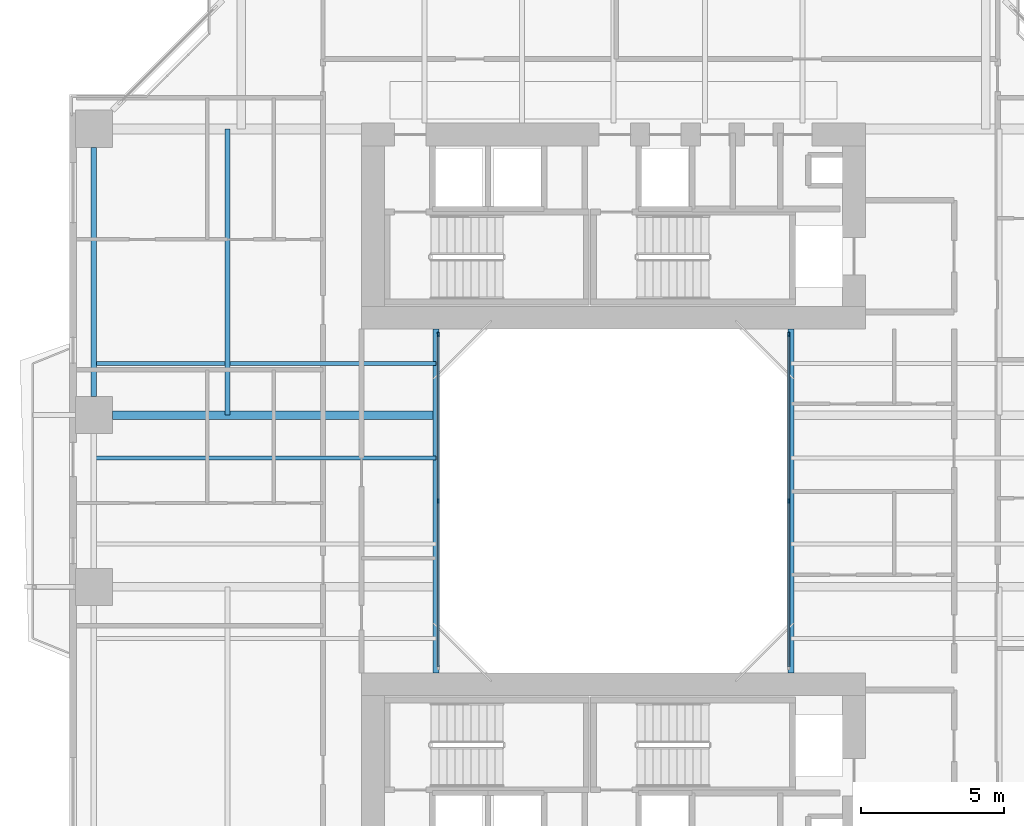
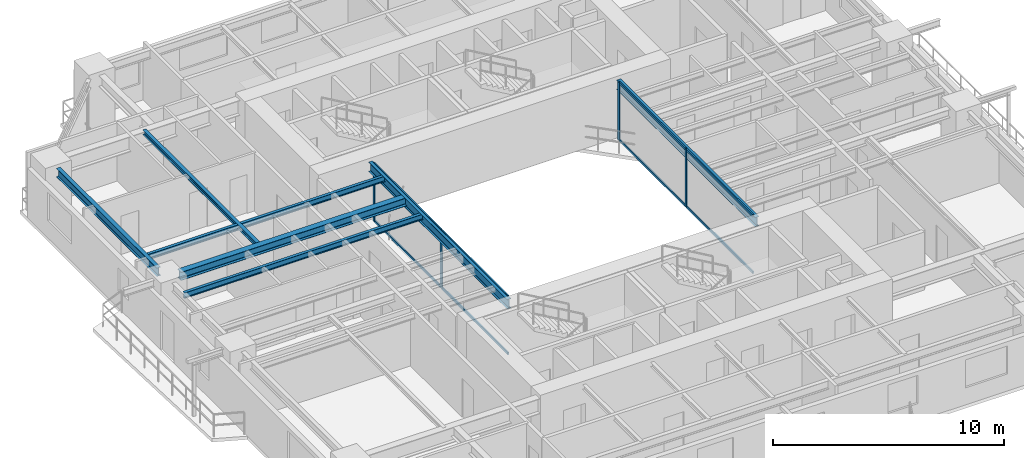
# One storey, part 4 of 23: 12 members, 7 beams, 2 elements without a shape of their own.
"""IFC4 building model written with IfcOpenShell, lengths in metres."""

from ifc_helpers import new_model, si_unit, direction, frame, origin, origin_2d, place, context, subcontext, project, spatial, rectangle, i_section, extrude, source, transform, mapped, material, layer, layer_set, material_profile, profile_set, type_object, element, aggregate, save


model = new_model("IFC4")

# Units and contexts
model_context = context("Model", 3, precision=1e-05, world=origin(), true_north=direction((0.0, 1.0)))
body_context = subcontext(model_context, "Body", "Model", "MODEL_VIEW")
ifc_project = project(units=[si_unit("LENGTHUNIT", "METRE"), si_unit("AREAUNIT", "SQUARE_METRE"), si_unit("VOLUMEUNIT", "CUBIC_METRE"), si_unit("PLANEANGLEUNIT", "RADIAN"), si_unit("MASSUNIT", "GRAM", prefix="KILO"), si_unit("THERMODYNAMICTEMPERATUREUNIT", "KELVIN"), si_unit("POWERUNIT", "WATT")], contexts=[model_context])

# Site, building, storey
site_placement = place(None, origin())
site = spatial("IfcSite", under=ifc_project, at=site_placement, CompositionType="ELEMENT")
building_placement = place(site_placement, origin())
building = spatial("IfcBuilding", under=site, at=building_placement, Name="Qiaomeng Ring Towers", CompositionType="ELEMENT")
storey_placement = place(building_placement, frame((0.0, 0.0, 79.5)))
storey = spatial("IfcBuildingStorey", under=building, at=storey_placement, Name="L22", CompositionType="ELEMENT", Elevation=79.5)

# Beams
ifc_material_1 = material(Name="Steel Q355B", Category="steel")
ifc_material_profile_1 = material_profile(ifc_material_1, i_section(OverallWidth=0.199951171875, OverallDepth=0.5, WebThickness=0.010009765625, FlangeThickness=0.01611328125, FilletRadius=0.02001953125, at=origin_2d()), Name="HN 500x200x10x16")
ifc_profile_set_1 = profile_set([ifc_material_profile_1], Name="Steel Q355B")
beam_type_1 = type_object("IfcBeamType", Name="STR-BM-HN500", PredefinedType="BEAM", material=ifc_profile_set_1)
shared_shape_1 = source(origin(), body_context, "Body", "SweptSolid", [
    extrude(i_section(OverallWidth=0.199951171875, OverallDepth=0.5, WebThickness=0.010009765625, FlangeThickness=0.01611328125, FilletRadius=0.02001953125, at=origin_2d()), origin(), (0.0, 0.0, 1.0), 12.0),
])
for number, where, z_axis, x_axis, name in (
    (1, (12.800048828125, 17.0, 2.820068359375), (0.0, 1.0, 0.0), (-1.0, 0.0, 0.0), "L22 beam STR-BM-L22-WELL-W"),
    (2, (25.199951171875, 17.0, 2.820068359375), (0.0, 1.0, 0.0), (-1.0, 0.0, 0.0), "L22 beam STR-BM-L22-WELL-E"),
):
    element("IfcBeam", number, at=place(storey_placement, frame(where, z_axis=z_axis, x_axis=x_axis)), inside=storey, type_object=beam_type_1, Name=name, PredefinedType="BEAM", context=body_context, shape_type="MappedRepresentation", body=[
        mapped(shared_shape_1, transform((0.0, 0.0, 0.0), x_axis=(1.0, 0.0, 0.0), y_axis=(0.0, 1.0, 0.0), z_axis=(0.0, 0.0, 1.0), scale=1.0)),
    ])
ifc_material_profile_2 = material_profile(ifc_material_1, i_section(OverallWidth=0.199951171875, OverallDepth=0.449951171875, WebThickness=0.009033203125, FlangeThickness=0.013916015625, FilletRadius=0.01806640625, at=origin_2d()), Name="HN 450x200x9x14")
ifc_profile_set_2 = profile_set([ifc_material_profile_2], Name="Steel Q355B")
beam_type_2 = type_object("IfcBeamType", Name="STR-BM-HN450", PredefinedType="SPANDREL", material=ifc_profile_set_2)
shared_shape_2 = source(origin(), body_context, "Body", "SweptSolid", [
    extrude(i_section(OverallWidth=0.199951171875, OverallDepth=0.449951171875, WebThickness=0.009033203125, FlangeThickness=0.013916015625, FilletRadius=0.01806640625, at=origin_2d()), origin(), (0.0, 0.0, 1.0), 8.7021484375),
])
beam_1_placement = place(storey_placement, frame((0.85009765625, 35.35107421875, 2.844970703125), z_axis=(0.0, -1.0, 0.0), x_axis=(1.0, 0.0, 0.0)))
element("IfcBeam", 3, at=beam_1_placement, inside=storey, type_object=beam_type_2, Name="L22 beam STR-SP-L22-T1-W4-W3", PredefinedType="SPANDREL", context=body_context, shape_type="MappedRepresentation", body=[
    mapped(shared_shape_2, transform((0.0, 0.0, 0.0), x_axis=(1.0, 0.0, 0.0), y_axis=(0.0, 1.0, 0.0), z_axis=(0.0, 0.0, 1.0), scale=1.0)),
])
ifc_material_profile_3 = material_profile(ifc_material_1, i_section(OverallWidth=0.300048828125, OverallDepth=0.43994140625, WebThickness=0.010986328125, FlangeThickness=0.01806640625, FilletRadius=0.02392578125, at=origin_2d()), Name="HM 440x300x11x18")
ifc_profile_set_3 = profile_set([ifc_material_profile_3], Name="Steel Q355B")
beam_type_3 = type_object("IfcBeamType", Name="STR-BM-HM440", PredefinedType="BEAM", material=ifc_profile_set_3)
shared_shape_3 = source(origin(), body_context, "Body", "SweptSolid", [
    extrude(i_section(OverallWidth=0.300048828125, OverallDepth=0.43994140625, WebThickness=0.010986328125, FlangeThickness=0.01806640625, FilletRadius=0.02392578125, at=origin_2d()), origin(), (0.0, 0.0, 1.0), 11.301025390625),
])
beam_2_placement = place(storey_placement, frame((1.4990234375, 26.0, 2.85009765625), z_axis=(1.0, 0.0, 0.0), x_axis=(0.0, 1.0, 0.0)))
element("IfcBeam", 4, at=beam_2_placement, inside=storey, type_object=beam_type_3, Name="L22 beam STR-BM-L22-T1-RAD-W3", PredefinedType="BEAM", context=body_context, shape_type="MappedRepresentation", body=[
    mapped(shared_shape_3, transform((0.0, 0.0, 0.0), x_axis=(1.0, 0.0, 0.0), y_axis=(0.0, 1.0, 0.0), z_axis=(0.0, 0.0, 1.0), scale=1.0)),
])
ifc_material_profile_4 = material_profile(ifc_material_1, i_section(OverallWidth=0.14990234375, OverallDepth=0.300048828125, WebThickness=0.006591796875, FlangeThickness=0.009033203125, FilletRadius=0.012939453125, at=origin_2d()), Name="HN 300x150x6.5x9")
ifc_profile_set_4 = profile_set([ifc_material_profile_4], Name="Steel Q355B")
beam_type_4 = type_object("IfcBeamType", Name="STR-BM-HN300", PredefinedType="JOIST", material=ifc_profile_set_4)
shared_shape_4 = source(origin(), body_context, "Body", "SweptSolid", [
    extrude(i_section(OverallWidth=0.14990234375, OverallDepth=0.300048828125, WebThickness=0.006591796875, FlangeThickness=0.009033203125, FilletRadius=0.012939453125, at=origin_2d()), origin(), (0.0, 0.0, 1.0), 11.949951171875),
])
for number, where, z_axis, x_axis, name in (
    (5, (0.85009765625, 24.5, 2.919921875), (1.0, 0.0, 0.0), (0.0, 1.0, 0.0), "L22 beam STR-JST-L22-T1W-3"),
    (6, (0.85009765625, 27.800048828125, 2.919921875), (1.0, 0.0, 0.0), (0.0, 1.0, 0.0), "L22 beam STR-JST-L22-T1W-4"),
):
    element("IfcBeam", number, at=place(storey_placement, frame(where, z_axis=z_axis, x_axis=x_axis)), inside=storey, type_object=beam_type_4, Name=name, PredefinedType="JOIST", context=body_context, shape_type="MappedRepresentation", body=[
        mapped(shared_shape_4, transform((0.0, 0.0, 0.0), x_axis=(1.0, 0.0, 0.0), y_axis=(0.0, 1.0, 0.0), z_axis=(0.0, 0.0, 1.0), scale=1.0)),
    ])
ifc_material_profile_5 = material_profile(ifc_material_1, i_section(OverallWidth=0.175048828125, OverallDepth=0.243896484375, WebThickness=0.007080078125, FlangeThickness=0.010986328125, FilletRadius=0.01611328125, at=origin_2d()), Name="HM 244x175x7x11")
ifc_profile_set_5 = profile_set([ifc_material_profile_5], Name="Steel Q355B")
beam_type_5 = type_object("IfcBeamType", Name="STR-BM-HM244", PredefinedType="JOIST", material=ifc_profile_set_5)
shared_shape_5 = source(origin(), body_context, "Body", "SweptSolid", [
    extrude(i_section(OverallWidth=0.175048828125, OverallDepth=0.243896484375, WebThickness=0.007080078125, FlangeThickness=0.010986328125, FilletRadius=0.01611328125, at=origin_2d()), origin(), (0.0, 0.0, 1.0), 10.0),
])
beam_3_placement = place(storey_placement, frame((5.52490234375, 26.0, 2.947998046875), z_axis=(0.0, 1.0, 0.0), x_axis=(-1.0, 0.0, 0.0)))
element("IfcBeam", 7, at=beam_3_placement, inside=storey, type_object=beam_type_5, Name="L22 beam STR-JST-L22-T1C-WN", PredefinedType="JOIST", context=body_context, shape_type="MappedRepresentation", body=[
    mapped(shared_shape_5, transform((0.0, 0.0, 0.0), x_axis=(1.0, 0.0, 0.0), y_axis=(0.0, 1.0, 0.0), z_axis=(0.0, 0.0, 1.0), scale=1.0)),
])

# Curtain wall, members
ifc_material_2 = material(Name="Fluorocarbon dark-grey aluminium", Category="aluminium")
ifc_layer = layer(ifc_material_2, 0.139892578125, Name="Fluorocarbon dark-grey aluminium")
ifc_layer_set = layer_set([ifc_layer], Name="Fluorocarbon dark-grey aluminium")
curtain_wall_type = type_object("IfcCurtainWallType", Name="ARC-CW-4", PredefinedType="NOTDEFINED", material=ifc_layer_set)
curtain_wall_1_placement = place(storey_placement, origin())
curtain_wall_1 = element("IfcCurtainWall", 8, at=curtain_wall_1_placement, inside=storey, type_object=curtain_wall_type, Name="L22 Curtain Wall CW4", PredefinedType="NOTDEFINED")
ifc_material_profile_6 = material_profile(ifc_material_2, rectangle(XDim=0.06494140625, YDim=0.159912109375, at=origin_2d()), Name="ALU MULL 65x160")
ifc_profile_set_6 = profile_set([ifc_material_profile_6], Name="Fluorocarbon dark-grey aluminium")
member_type_1 = type_object("IfcMemberType", Name="ARC-CWM-140", PredefinedType="MULLION", material=ifc_profile_set_6)
shared_shape_6 = source(origin(), body_context, "Body", "SweptSolid", [
    extrude(rectangle(XDim=0.06494140625, YDim=0.159912109375, at=origin_2d()), origin(), (0.0, 0.0, 1.0), 3.070068359375),
])
member_1_placement = place(storey_placement, frame((12.8798828125, 23.0, 0.0), z_axis=(0.0, 0.0, 1.0), x_axis=(-1.0, 0.0, 0.0)))
member_1 = element("IfcMember", 9, at=member_1_placement, type_object=member_type_1, Name="CW4 mullion 2", PredefinedType="MULLION", context=body_context, shape_type="MappedRepresentation", body=[
    mapped(shared_shape_6, transform((0.0, 0.0, 0.0), x_axis=(1.0, 0.0, 0.0), y_axis=(0.0, 1.0, 0.0), z_axis=(0.0, 0.0, 1.0), scale=1.0)),
])
member_2_placement = place(storey_placement, frame((12.8798828125, 28.8173828125, 0.0), z_axis=(0.0, 0.0, 1.0), x_axis=(-1.0, 0.0, 0.0)))
member_2 = element("IfcMember", 10, at=member_2_placement, type_object=member_type_1, Name="CW4 mullion 3", PredefinedType="MULLION", context=body_context, shape_type="MappedRepresentation", body=[
    mapped(shared_shape_6, transform((0.0, 0.0, 0.0), x_axis=(1.0, 0.0, 0.0), y_axis=(0.0, 1.0, 0.0), z_axis=(0.0, 0.0, 1.0), scale=1.0)),
])

curtain_wall_2_placement = place(storey_placement, origin())
curtain_wall_2 = element("IfcCurtainWall", 11, at=curtain_wall_2_placement, inside=storey, type_object=curtain_wall_type, Name="L22 Curtain Wall CW4", PredefinedType="NOTDEFINED")
member_3_placement = place(storey_placement, frame((25.1201171875, 23.0, 0.0), z_axis=(0.0, 0.0, 1.0), x_axis=(-1.0, 0.0, 0.0)))
member_3 = element("IfcMember", 12, at=member_3_placement, type_object=member_type_1, Name="CW4 mullion 2", PredefinedType="MULLION", context=body_context, shape_type="MappedRepresentation", body=[
    mapped(shared_shape_6, transform((0.0, 0.0, 0.0), x_axis=(1.0, 0.0, 0.0), y_axis=(0.0, 1.0, 0.0), z_axis=(0.0, 0.0, 1.0), scale=1.0)),
])
member_4_placement = place(storey_placement, frame((25.1201171875, 28.8173828125, 0.0), z_axis=(0.0, 0.0, 1.0), x_axis=(-1.0, 0.0, 0.0)))
member_4 = element("IfcMember", 13, at=member_4_placement, type_object=member_type_1, Name="CW4 mullion 3", PredefinedType="MULLION", context=body_context, shape_type="MappedRepresentation", body=[
    mapped(shared_shape_6, transform((0.0, 0.0, 0.0), x_axis=(1.0, 0.0, 0.0), y_axis=(0.0, 1.0, 0.0), z_axis=(0.0, 0.0, 1.0), scale=1.0)),
])

# Member
ifc_material_profile_7 = material_profile(ifc_material_2, rectangle(XDim=0.06494140625, YDim=0.1298828125, at=origin_2d()), Name="ALU TRAN 65x130")
ifc_profile_set_7 = profile_set([ifc_material_profile_7], Name="Fluorocarbon dark-grey aluminium")
member_type_2 = type_object("IfcMemberType", Name="ARC-CWT-120", PredefinedType="USERDEFINED", material=ifc_profile_set_7)
shared_shape_7 = source(origin(), body_context, "Body", "SweptSolid", [
    extrude(rectangle(XDim=0.06494140625, YDim=0.1298828125, at=origin_2d()), origin(), (0.0, 0.0, 1.0), 5.75244140625),
])
member_5_placement = place(storey_placement, frame((12.8798828125, 17.215087890625, 0.032470703125), z_axis=(0.0, 1.0, 0.0), x_axis=(-1.0, 0.0, 0.0)))
member_5 = element("IfcMember", 14, at=member_5_placement, type_object=member_type_2, Name="CW4 transom 1.1", ObjectType="TRANSOM", PredefinedType="USERDEFINED", context=body_context, shape_type="MappedRepresentation", body=[
    mapped(shared_shape_7, transform((0.0, 0.0, 0.0), x_axis=(1.0, 0.0, 0.0), y_axis=(0.0, 1.0, 0.0), z_axis=(0.0, 0.0, 1.0), scale=1.0)),
])

member_6_placement = place(storey_placement, frame((12.8798828125, 17.215087890625, 3.03759765625), z_axis=(0.0, 1.0, 0.0), x_axis=(-1.0, 0.0, 0.0)))
member_6 = element("IfcMember", 15, at=member_6_placement, type_object=member_type_2, Name="CW4 transom 1.2", ObjectType="TRANSOM", PredefinedType="USERDEFINED", context=body_context, shape_type="MappedRepresentation", body=[
    mapped(shared_shape_7, transform((0.0, 0.0, 0.0), x_axis=(1.0, 0.0, 0.0), y_axis=(0.0, 1.0, 0.0), z_axis=(0.0, 0.0, 1.0), scale=1.0)),
])

member_7_placement = place(storey_placement, frame((12.8798828125, 23.032470703125, 0.032470703125), z_axis=(0.0, 1.0, 0.0), x_axis=(-1.0, 0.0, 0.0)))
member_7 = element("IfcMember", 16, at=member_7_placement, type_object=member_type_2, Name="CW4 transom 2.1", ObjectType="TRANSOM", PredefinedType="USERDEFINED", context=body_context, shape_type="MappedRepresentation", body=[
    mapped(shared_shape_7, transform((0.0, 0.0, 0.0), x_axis=(1.0, 0.0, 0.0), y_axis=(0.0, 1.0, 0.0), z_axis=(0.0, 0.0, 1.0), scale=1.0)),
])

member_8_placement = place(storey_placement, frame((12.8798828125, 23.032470703125, 3.03759765625), z_axis=(0.0, 1.0, 0.0), x_axis=(-1.0, 0.0, 0.0)))
member_8 = element("IfcMember", 17, at=member_8_placement, type_object=member_type_2, Name="CW4 transom 2.2", ObjectType="TRANSOM", PredefinedType="USERDEFINED", context=body_context, shape_type="MappedRepresentation", body=[
    mapped(shared_shape_7, transform((0.0, 0.0, 0.0), x_axis=(1.0, 0.0, 0.0), y_axis=(0.0, 1.0, 0.0), z_axis=(0.0, 0.0, 1.0), scale=1.0)),
])

aggregate(curtain_wall_1, [member_1, member_2, member_5, member_6, member_7, member_8])

member_9_placement = place(storey_placement, frame((25.1201171875, 17.215087890625, 0.032470703125), z_axis=(0.0, 1.0, 0.0), x_axis=(-1.0, 0.0, 0.0)))
member_9 = element("IfcMember", 18, at=member_9_placement, type_object=member_type_2, Name="CW4 transom 1.1", ObjectType="TRANSOM", PredefinedType="USERDEFINED", context=body_context, shape_type="MappedRepresentation", body=[
    mapped(shared_shape_7, transform((0.0, 0.0, 0.0), x_axis=(1.0, 0.0, 0.0), y_axis=(0.0, 1.0, 0.0), z_axis=(0.0, 0.0, 1.0), scale=1.0)),
])

member_10_placement = place(storey_placement, frame((25.1201171875, 17.215087890625, 3.03759765625), z_axis=(0.0, 1.0, 0.0), x_axis=(-1.0, 0.0, 0.0)))
member_10 = element("IfcMember", 19, at=member_10_placement, type_object=member_type_2, Name="CW4 transom 1.2", ObjectType="TRANSOM", PredefinedType="USERDEFINED", context=body_context, shape_type="MappedRepresentation", body=[
    mapped(shared_shape_7, transform((0.0, 0.0, 0.0), x_axis=(1.0, 0.0, 0.0), y_axis=(0.0, 1.0, 0.0), z_axis=(0.0, 0.0, 1.0), scale=1.0)),
])

member_11_placement = place(storey_placement, frame((25.1201171875, 23.032470703125, 0.032470703125), z_axis=(0.0, 1.0, 0.0), x_axis=(-1.0, 0.0, 0.0)))
member_11 = element("IfcMember", 20, at=member_11_placement, type_object=member_type_2, Name="CW4 transom 2.1", ObjectType="TRANSOM", PredefinedType="USERDEFINED", context=body_context, shape_type="MappedRepresentation", body=[
    mapped(shared_shape_7, transform((0.0, 0.0, 0.0), x_axis=(1.0, 0.0, 0.0), y_axis=(0.0, 1.0, 0.0), z_axis=(0.0, 0.0, 1.0), scale=1.0)),
])

member_12_placement = place(storey_placement, frame((25.1201171875, 23.032470703125, 3.03759765625), z_axis=(0.0, 1.0, 0.0), x_axis=(-1.0, 0.0, 0.0)))
member_12 = element("IfcMember", 21, at=member_12_placement, type_object=member_type_2, Name="CW4 transom 2.2", ObjectType="TRANSOM", PredefinedType="USERDEFINED", context=body_context, shape_type="MappedRepresentation", body=[
    mapped(shared_shape_7, transform((0.0, 0.0, 0.0), x_axis=(1.0, 0.0, 0.0), y_axis=(0.0, 1.0, 0.0), z_axis=(0.0, 0.0, 1.0), scale=1.0)),
])

aggregate(curtain_wall_2, [member_3, member_4, member_9, member_10, member_11, member_12])

save(model, "model.ifc")
